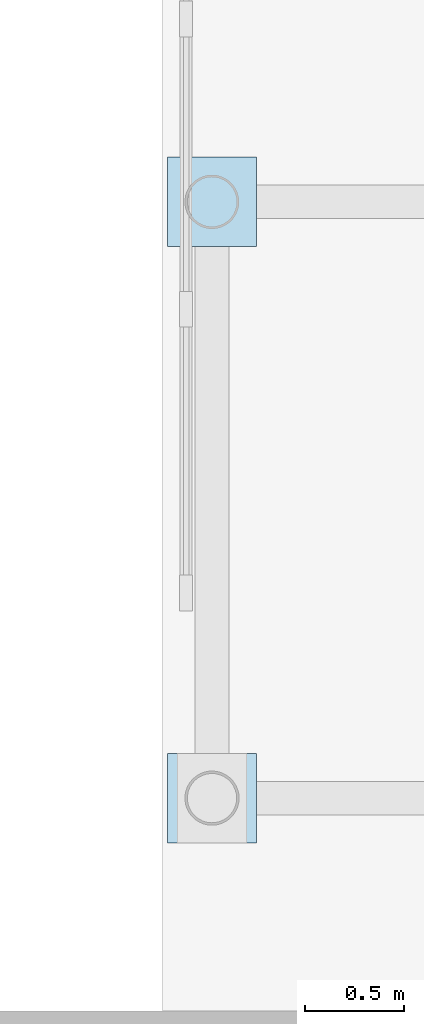
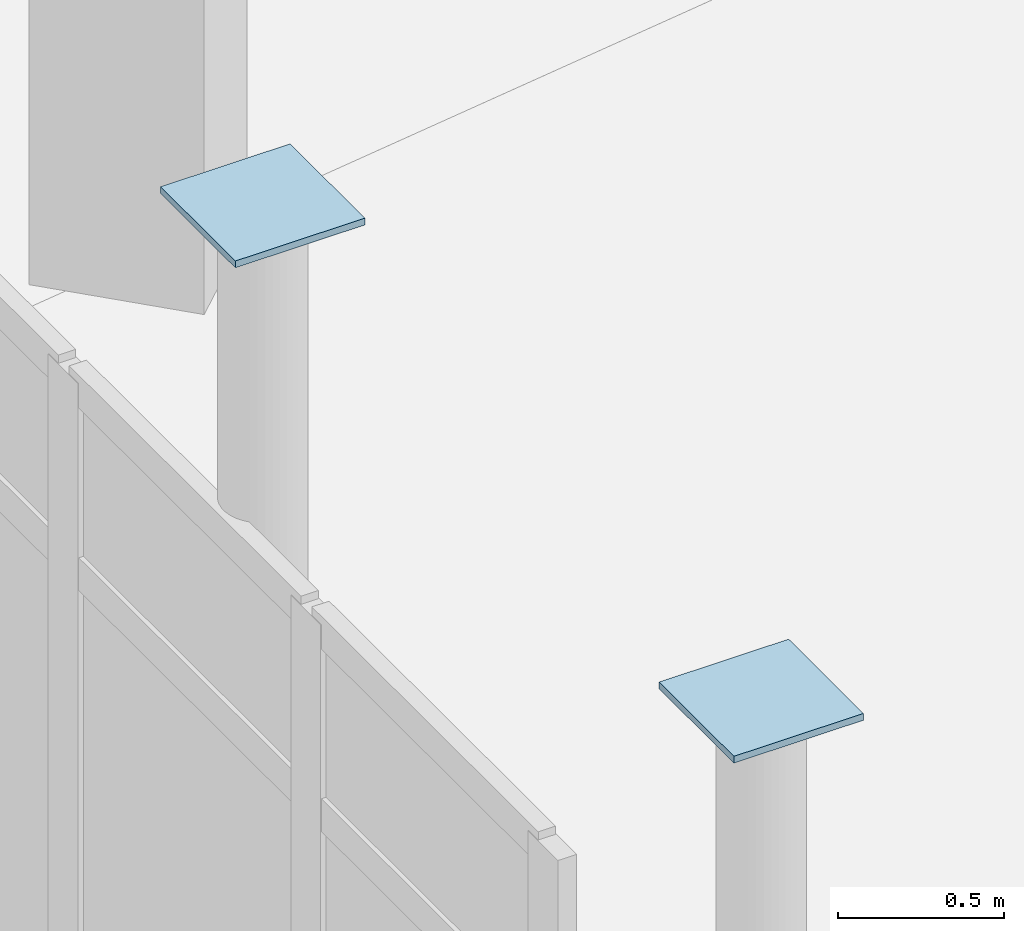
# One storey, part 96 of 122: 2 plates.
"""IFC4 building model written with IfcOpenShell, lengths in metres."""

from ifc_helpers import new_model, si_unit, direction, frame, origin, origin_2d, place, context, subcontext, project, spatial, rectangle, extrude, material, layer, layer_set, type_object, element, save


model = new_model("IFC4")

# Units and contexts
model_context = context("Model", 3, precision=1e-05, world=origin(), true_north=direction((0.0, 1.0)))
body_context = subcontext(model_context, "Body", "Model", "MODEL_VIEW")
ifc_project = project(units=[si_unit("LENGTHUNIT", "METRE"), si_unit("AREAUNIT", "SQUARE_METRE"), si_unit("VOLUMEUNIT", "CUBIC_METRE"), si_unit("PLANEANGLEUNIT", "RADIAN"), si_unit("MASSUNIT", "GRAM", prefix="KILO")], contexts=[model_context])

# Site, building, storey
site_placement = place(None, origin())
site = spatial("IfcSite", under=ifc_project, at=site_placement, CompositionType="ELEMENT")
building_placement = place(site_placement, origin())
building = spatial("IfcBuilding", under=site, at=building_placement, Name="Sohan Crest Arena", CompositionType="ELEMENT")
storey_placement = place(building_placement, origin())
storey = spatial("IfcBuildingStorey", under=building, at=storey_placement, Name="L00", CompositionType="ELEMENT", Elevation=0.0)

# Plates
ifc_material = material(Name="Steel S355", Category="steel")
ifc_layer = layer(ifc_material, 0.031982421875, Name="Steel S355")
ifc_layer_set = layer_set([ifc_layer], Name="Steel S355")
plate_type = type_object("IfcPlateType", Name="STR-PL-BP01", PredefinedType="USERDEFINED", material=ifc_layer_set)
for number, where, z_axis, x_axis, name in (
    (1, (135.25, 27.199951171875, 4.487548828125), (0.0, 0.0, 1.0), (1.0, 0.0, 0.0), "Hollow section end cap plate ECP-0098"),
    (2, (135.25, 30.199951171875, 4.487548828125), (0.0, 0.0, 1.0), (1.0, 0.0, 0.0), "Hollow section end cap plate ECP-0102"),
):
    element("IfcPlate", number, at=place(storey_placement, frame(where, z_axis=z_axis, x_axis=x_axis)), inside=storey, type_object=plate_type, Name=name, ObjectType="BASE PLATE", PredefinedType="USERDEFINED", context=body_context, shape_type="SweptSolid", body=[
        extrude(rectangle(XDim=0.449951171875, YDim=0.449951171875, at=origin_2d()), origin(), (0.0, 0.0, 1.0), 0.02490234375),
    ])

save(model, "model.ifc")
